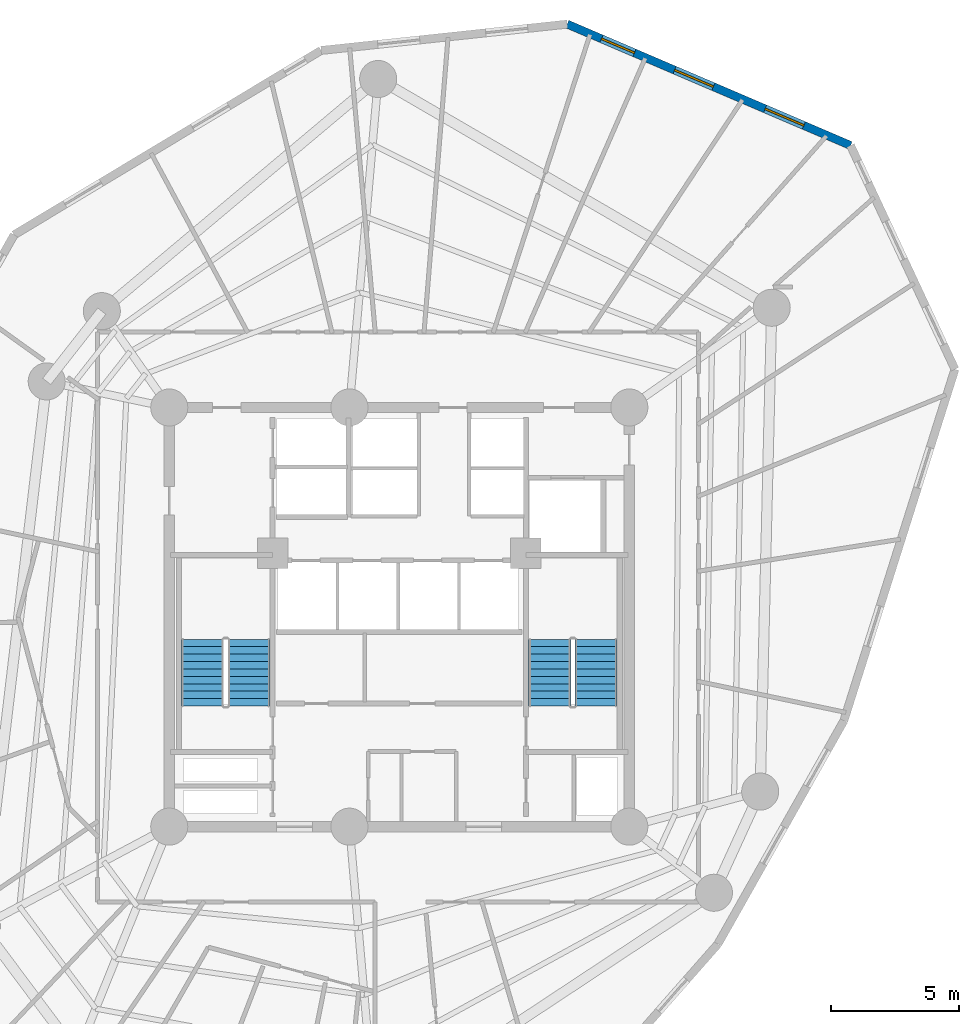
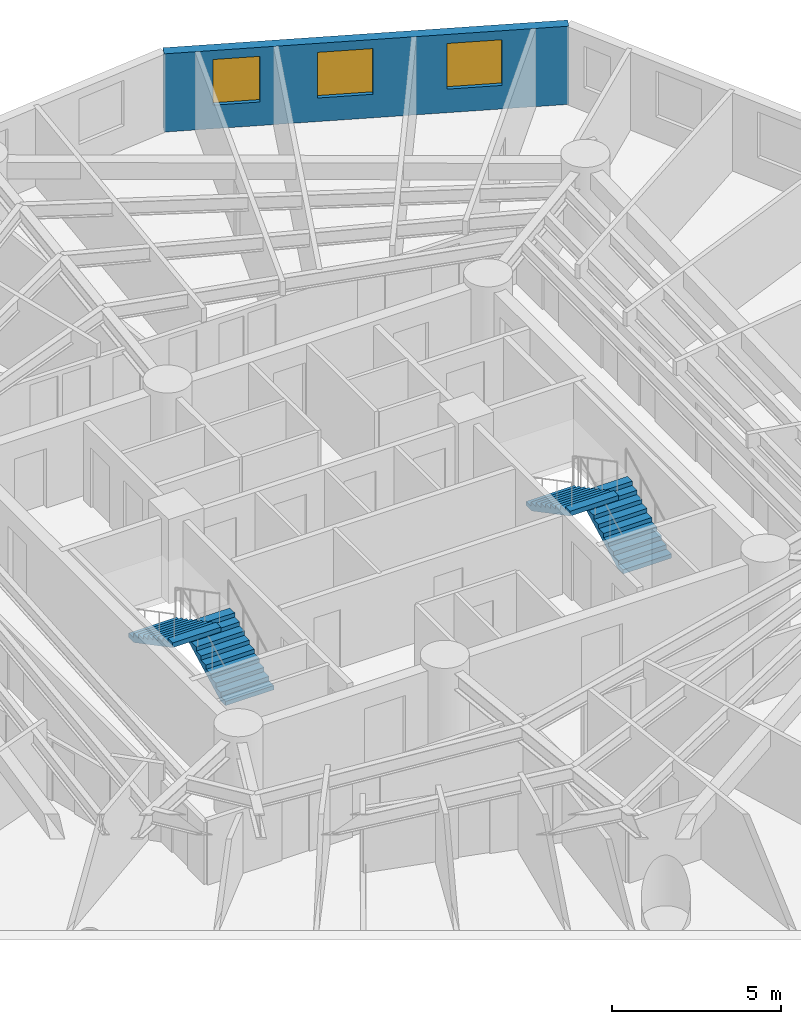
# One storey, part 7 of 8: 4 stair flights, 3 windows, 1 wall, 3 openings, 2 elements without a shape of their own.
"""IFC4 building model written with IfcOpenShell, lengths in metres."""

from ifc_helpers import new_model, si_unit, direction, frame, frame_2d, origin, origin_with_axes, place, context, subcontext, project, spatial, polyline, rectangle, outline, extrude, source, transform, mapped, material, layer, layer_set, type_object, element, fill, aggregate, save


model = new_model("IFC4")

# Units and contexts
model_context = context("Model", 3, precision=1e-05, world=origin(), true_north=direction((0.0, 1.0)))
body_context = subcontext(model_context, "Body", "Model", "MODEL_VIEW")
ifc_project = project(units=[si_unit("LENGTHUNIT", "METRE"), si_unit("AREAUNIT", "SQUARE_METRE"), si_unit("VOLUMEUNIT", "CUBIC_METRE"), si_unit("PLANEANGLEUNIT", "RADIAN"), si_unit("MASSUNIT", "GRAM", prefix="KILO")], contexts=[model_context])

# Site, building, storey
site_placement = place(None, origin())
site = spatial("IfcSite", under=ifc_project, at=site_placement, CompositionType="ELEMENT")
building_placement = place(site_placement, origin())
building = spatial("IfcBuilding", under=site, at=building_placement, Name="Karkom Vertical University and Central Library", CompositionType="ELEMENT")
storey_placement = place(building_placement, frame((0.0, 0.0, 114.5)))
storey = spatial("IfcBuildingStorey", under=building, at=storey_placement, Name="L31", CompositionType="ELEMENT", Elevation=114.5)

# Wall, openings, windows
ifc_material_1 = material(Name="Brick-faced precast concrete C45/55", Category="masonry")
ifc_layer = layer(ifc_material_1, 0.320068359375)
ifc_layer_set = layer_set([ifc_layer], Name="Brick-faced precast concrete C45/55")
wall_type = type_object("IfcWallType", Name="ENV-WL-BRK-320", PredefinedType="SOLIDWALL", material=ifc_layer_set)
wall_placement = place(storey_placement, frame((46.15478515625, 44.95068359375, 0.0), z_axis=(0.0, 0.0, 1.0), x_axis=(-0.919225634736, 0.393731167733, 0.0)))
wall = element("IfcWall", 1, at=wall_placement, inside=storey, type_object=wall_type, Name="Level 31 Brick-Faced Precast Facade Wall 10", PredefinedType="SOLIDWALL", context=body_context, shape_type="SweptSolid", body=[
    extrude(rectangle(XDim=12.060302734375, YDim=0.320068359375, at=frame_2d((6.0302734375, 0.0))), origin(), (0.0, 0.0, 1.0), 2.824951171875),
])
opening_1_placement = place(wall_placement, frame((1.9873046875, 0.0, 0.85009765625)))
opening_1 = element("IfcOpeningElement", 2, at=opening_1_placement, cuts=wall, Name="Opening WN-06", PredefinedType="OPENING", context=body_context, shape_type="SweptSolid", body=[
    extrude(rectangle(XDim=1.64990234375, YDim=1.64990234375, at=frame_2d((0.824951171875, 0.824951171875))), frame((0.0, 0.169921875, 0.0), z_axis=(0.0, -1.0, 0.0), x_axis=(1.0, 0.0, 0.0)), (0.0, 0.0, 1.0), 0.340087890625),
])
opening_2_placement = place(wall_placement, frame((5.83837890625, 0.0, 0.85009765625)))
opening_2 = element("IfcOpeningElement", 3, at=opening_2_placement, cuts=wall, Name="Opening WN-06", PredefinedType="OPENING", context=body_context, shape_type="SweptSolid", body=[
    extrude(rectangle(XDim=1.64990234375, YDim=1.64990234375, at=frame_2d((0.824951171875, 0.824951171875))), frame((0.0, 0.169921875, 0.0), z_axis=(0.0, -1.0, 0.0), x_axis=(1.0, 0.0, 0.0)), (0.0, 0.0, 1.0), 0.340087890625),
])
opening_3_placement = place(wall_placement, frame((9.201416015625, 0.0, 0.85009765625)))
opening_3 = element("IfcOpeningElement", 4, at=opening_3_placement, cuts=wall, Name="Opening WN-07", PredefinedType="OPENING", context=body_context, shape_type="SweptSolid", body=[
    extrude(rectangle(XDim=1.39990234375, YDim=1.64990234375, at=frame_2d((0.699951171875, 0.824951171875))), frame((0.0, 0.169921875, 0.0), z_axis=(0.0, -1.0, 0.0), x_axis=(1.0, 0.0, 0.0)), (0.0, 0.0, 1.0), 0.340087890625),
])
ifc_material_2 = material(Name="Aluminium thermal-break frame with solar-control IGU", Category="aluminium")
window_type_1 = type_object("IfcWindowType", Name="ENV-WIN-WN-06", PartitioningType="SINGLE_PANEL", PredefinedType="WINDOW", material=ifc_material_2)
shared_shape_1 = source(origin_with_axes(), body_context, "Body", "SweptSolid", [
    extrude(rectangle(XDim=1.64990234375, YDim=1.64990234375, at=frame_2d((0.824951171875, 0.824951171875))), frame((0.0, 0.030029296875, 0.0), z_axis=(0.0, -1.0, 0.0), x_axis=(1.0, 0.0, 0.0)), (0.0, 0.0, 1.0), 0.06005859375),
])
window_1_placement = place(opening_1_placement, origin())
window_1 = element("IfcWindow", 5, at=window_1_placement, inside=storey, type_object=window_type_1, Name="Level 31 Punched Window 10.1", OverallHeight=1.64990234375, OverallWidth=1.64990234375, PartitioningType="SINGLE_PANEL", PredefinedType="WINDOW", context=body_context, shape_type="MappedRepresentation", body=[
    mapped(shared_shape_1, transform((0.0, 0.0, 0.0), scale=1.0)),
])
fill(opening_1, window_1)
window_2_placement = place(opening_2_placement, origin())
window_2 = element("IfcWindow", 6, at=window_2_placement, inside=storey, type_object=window_type_1, Name="Level 31 Punched Window 10.2", OverallHeight=1.64990234375, OverallWidth=1.64990234375, PartitioningType="SINGLE_PANEL", PredefinedType="WINDOW", context=body_context, shape_type="MappedRepresentation", body=[
    mapped(shared_shape_1, transform((0.0, 0.0, 0.0), scale=1.0)),
])
fill(opening_2, window_2)
window_type_2 = type_object("IfcWindowType", Name="ENV-WIN-WN-07", PartitioningType="SINGLE_PANEL", PredefinedType="WINDOW", material=ifc_material_2)
shared_shape_2 = source(origin_with_axes(), body_context, "Body", "SweptSolid", [
    extrude(rectangle(XDim=1.39990234375, YDim=1.64990234375, at=frame_2d((0.699951171875, 0.824951171875))), frame((0.0, 0.030029296875, 0.0), z_axis=(0.0, -1.0, 0.0), x_axis=(1.0, 0.0, 0.0)), (0.0, 0.0, 1.0), 0.06005859375),
])
window_3_placement = place(opening_3_placement, origin())
window_3 = element("IfcWindow", 7, at=window_3_placement, inside=storey, type_object=window_type_2, Name="Level 31 Punched Window 10.3", OverallHeight=1.64990234375, OverallWidth=1.39990234375, PartitioningType="SINGLE_PANEL", PredefinedType="WINDOW", context=body_context, shape_type="MappedRepresentation", body=[
    mapped(shared_shape_2, transform((0.0, 0.0, 0.0), scale=1.0)),
])
fill(opening_3, window_3)

# Stair, stair flights
ifc_material_3 = material(Name="Concrete C45/55", Category="concrete")
stair_type = type_object("IfcStairType", Name="INT-STR-ST-MAIN", PredefinedType="HALF_TURN_STAIR", material=ifc_material_3)
stair_1_placement = place(storey_placement, origin())
stair_1 = element("IfcStair", 8, at=stair_1_placement, inside=storey, type_object=stair_type, Name="Level 31 Tower Protected Exit Stair ST-1", PredefinedType="HALF_TURN_STAIR")
stair_flight_type = type_object("IfcStairFlightType", Name="INT-SFL-ST-MAIN", PredefinedType="STRAIGHT", material=ifc_material_3)
stair_flight_1_placement = place(storey_placement, frame((22.614990234375, 23.02001953125, 0.0), z_axis=(0.0, 0.0, 1.0), x_axis=(0.0, 1.0, 0.0)))
stair_flight_1 = element("IfcStairFlight", 9, at=stair_flight_1_placement, type_object=stair_flight_type, Name="ST-1 flight 1", NumberOfRisers=10, NumberOfTreads=9, PredefinedType="STRAIGHT", RiserHeight=0.1525, TreadLength=0.29, context=body_context, shape_type="SweptSolid", body=[
    extrude(outline(polyline([(0.0, 0.0), (0.0, 0.152587890625), (0.2900390625, 0.152587890625), (0.2900390625, 0.304931640625), (0.580078125, 0.304931640625), (0.580078125, 0.45751953125), (0.8701171875, 0.45751953125), (0.8701171875, 0.610107421875), (1.159912109375, 0.610107421875), (1.159912109375, 0.762451171875), (1.449951171875, 0.762451171875), (1.449951171875, 0.9150390625), (1.739990234375, 0.9150390625), (1.739990234375, 1.0673828125), (2.030029296875, 1.0673828125), (2.030029296875, 1.219970703125), (2.320068359375, 1.219970703125), (2.320068359375, 1.37255859375), (2.610107421875, 1.37255859375), (2.610107421875, 1.52490234375), (2.610107421875, 1.203125), (0.322021484375, 0.0), (0.0, 0.0)])), frame((0.0, 0.824951171875, 0.0), z_axis=(0.0, -1.0, 0.0), x_axis=(1.0, 0.0, 0.0)), (0.0, 0.0, 1.0), 1.64990234375),
])
stair_flight_2_placement = place(storey_placement, frame((20.804931640625, 25.6298828125, 1.52490234375), z_axis=(0.0, 0.0, 1.0), x_axis=(0.0, -1.0, 0.0)))
stair_flight_2 = element("IfcStairFlight", 10, at=stair_flight_2_placement, type_object=stair_flight_type, Name="ST-1 flight 2", NumberOfRisers=10, NumberOfTreads=9, PredefinedType="STRAIGHT", RiserHeight=0.1525, TreadLength=0.29, context=body_context, shape_type="SweptSolid", body=[
    extrude(outline(polyline([(0.0, 0.0), (0.0, 0.152587890625), (0.2900390625, 0.152587890625), (0.2900390625, 0.304931640625), (0.580078125, 0.304931640625), (0.580078125, 0.45751953125), (0.8701171875, 0.45751953125), (0.8701171875, 0.610107421875), (1.159912109375, 0.610107421875), (1.159912109375, 0.762451171875), (1.449951171875, 0.762451171875), (1.449951171875, 0.9150390625), (1.739990234375, 0.9150390625), (1.739990234375, 1.0673828125), (2.030029296875, 1.0673828125), (2.030029296875, 1.219970703125), (2.320068359375, 1.219970703125), (2.320068359375, 1.37255859375), (2.610107421875, 1.37255859375), (2.610107421875, 1.52490234375), (2.610107421875, 1.203125), (0.322021484375, 0.0), (0.0, 0.0)])), frame((0.0, 0.824951171875, 0.0), z_axis=(0.0, -1.0, 0.0), x_axis=(1.0, 0.0, 0.0)), (0.0, 0.0, 1.0), 1.64990234375),
])
aggregate(stair_1, [stair_flight_1, stair_flight_2])

stair_2_placement = place(storey_placement, origin())
stair_2 = element("IfcStair", 11, at=stair_2_placement, inside=storey, type_object=stair_type, Name="Level 31 Tower Protected Exit Stair ST-2", PredefinedType="HALF_TURN_STAIR")
stair_flight_3_placement = place(storey_placement, frame((36.195068359375, 23.02001953125, 0.0), z_axis=(0.0, 0.0, 1.0), x_axis=(0.0, 1.0, 0.0)))
stair_flight_3 = element("IfcStairFlight", 12, at=stair_flight_3_placement, type_object=stair_flight_type, Name="ST-2 flight 1", NumberOfRisers=10, NumberOfTreads=9, PredefinedType="STRAIGHT", RiserHeight=0.1525, TreadLength=0.29, context=body_context, shape_type="SweptSolid", body=[
    extrude(outline(polyline([(0.0, 0.0), (0.0, 0.152587890625), (0.2900390625, 0.152587890625), (0.2900390625, 0.304931640625), (0.580078125, 0.304931640625), (0.580078125, 0.45751953125), (0.8701171875, 0.45751953125), (0.8701171875, 0.610107421875), (1.159912109375, 0.610107421875), (1.159912109375, 0.762451171875), (1.449951171875, 0.762451171875), (1.449951171875, 0.9150390625), (1.739990234375, 0.9150390625), (1.739990234375, 1.0673828125), (2.030029296875, 1.0673828125), (2.030029296875, 1.219970703125), (2.320068359375, 1.219970703125), (2.320068359375, 1.37255859375), (2.610107421875, 1.37255859375), (2.610107421875, 1.52490234375), (2.610107421875, 1.203125), (0.322021484375, 0.0), (0.0, 0.0)])), frame((0.0, 0.824951171875, 0.0), z_axis=(0.0, -1.0, 0.0), x_axis=(1.0, 0.0, 0.0)), (0.0, 0.0, 1.0), 1.64990234375),
])
stair_flight_4_placement = place(storey_placement, frame((34.385009765625, 25.6298828125, 1.52490234375), z_axis=(0.0, 0.0, 1.0), x_axis=(0.0, -1.0, 0.0)))
stair_flight_4 = element("IfcStairFlight", 13, at=stair_flight_4_placement, type_object=stair_flight_type, Name="ST-2 flight 2", NumberOfRisers=10, NumberOfTreads=9, PredefinedType="STRAIGHT", RiserHeight=0.1525, TreadLength=0.29, context=body_context, shape_type="SweptSolid", body=[
    extrude(outline(polyline([(0.0, 0.0), (0.0, 0.152587890625), (0.2900390625, 0.152587890625), (0.2900390625, 0.304931640625), (0.580078125, 0.304931640625), (0.580078125, 0.45751953125), (0.8701171875, 0.45751953125), (0.8701171875, 0.610107421875), (1.159912109375, 0.610107421875), (1.159912109375, 0.762451171875), (1.449951171875, 0.762451171875), (1.449951171875, 0.9150390625), (1.739990234375, 0.9150390625), (1.739990234375, 1.0673828125), (2.030029296875, 1.0673828125), (2.030029296875, 1.219970703125), (2.320068359375, 1.219970703125), (2.320068359375, 1.37255859375), (2.610107421875, 1.37255859375), (2.610107421875, 1.52490234375), (2.610107421875, 1.203125), (0.322021484375, 0.0), (0.0, 0.0)])), frame((0.0, 0.824951171875, 0.0), z_axis=(0.0, -1.0, 0.0), x_axis=(1.0, 0.0, 0.0)), (0.0, 0.0, 1.0), 1.64990234375),
])
aggregate(stair_2, [stair_flight_3, stair_flight_4])

save(model, "model.ifc")
